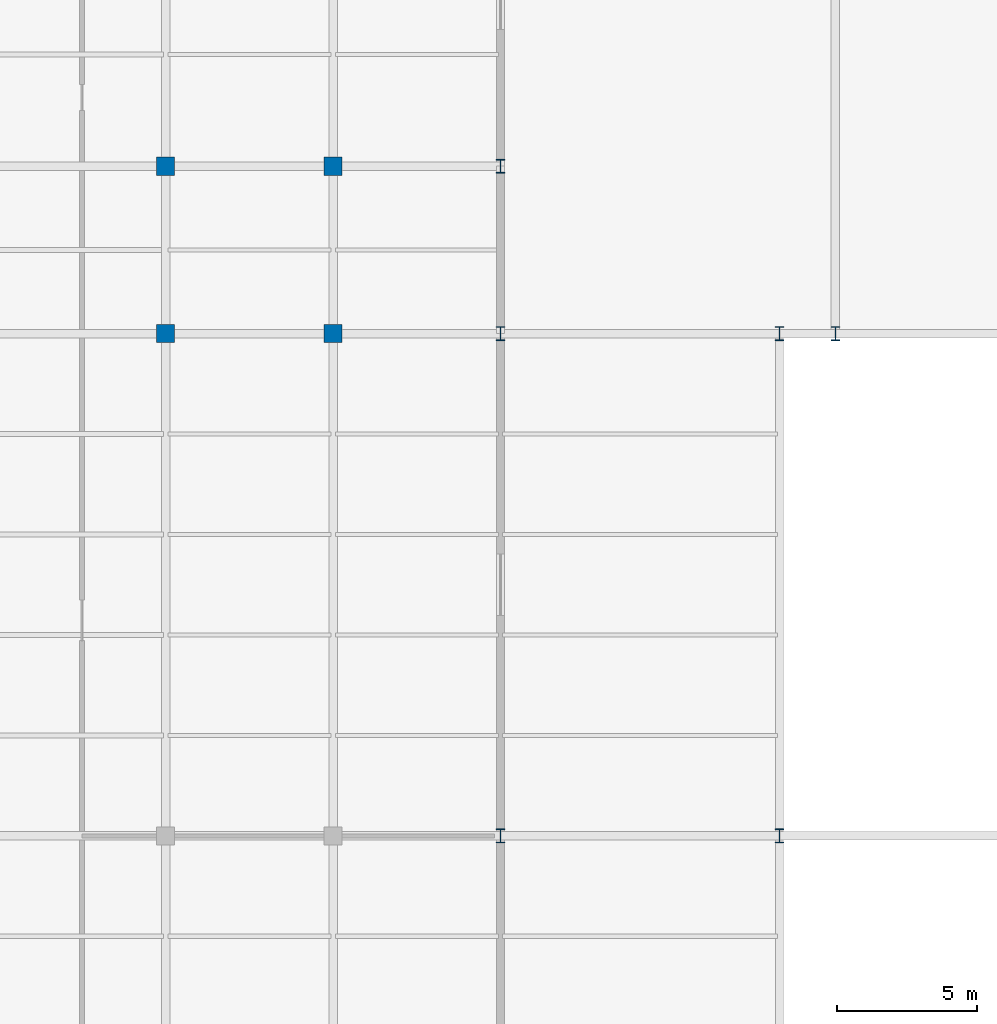
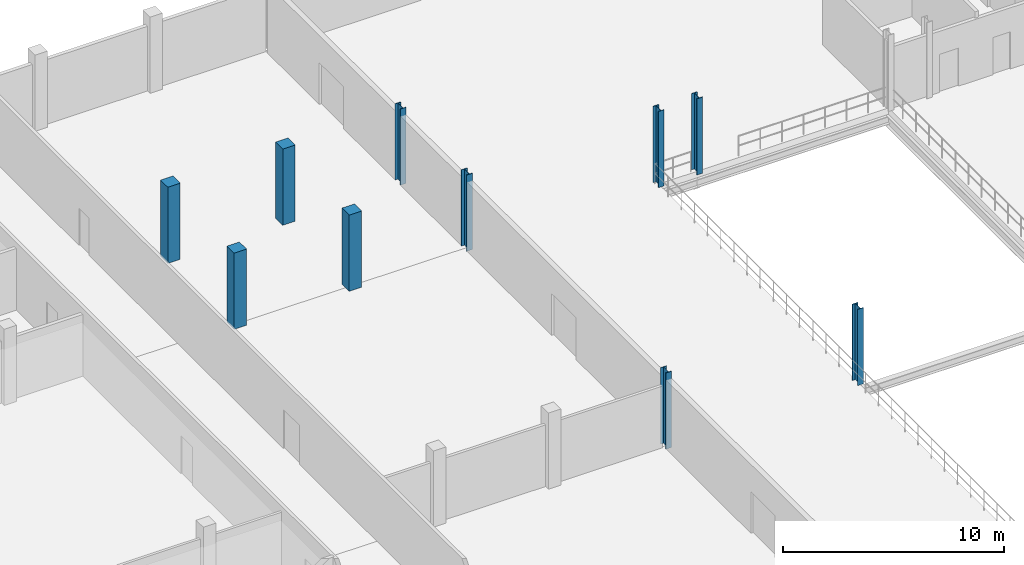
# One storey, part 11 of 158: 10 columns.
"""IFC4 building model written with IfcOpenShell, lengths in metres."""

from ifc_helpers import new_model, si_unit, direction, frame, origin, origin_2d, place, context, subcontext, project, spatial, rectangle, i_section, extrude, material, material_profile, profile_set, type_object, element, save


model = new_model("IFC4")

# Units and contexts
model_context = context("Model", 3, precision=1e-05, world=origin(), true_north=direction((0.0, 1.0)))
body_context = subcontext(model_context, "Body", "Model", "MODEL_VIEW")
ifc_project = project(units=[si_unit("LENGTHUNIT", "METRE"), si_unit("AREAUNIT", "SQUARE_METRE"), si_unit("VOLUMEUNIT", "CUBIC_METRE"), si_unit("PLANEANGLEUNIT", "RADIAN"), si_unit("MASSUNIT", "GRAM", prefix="KILO")], contexts=[model_context])

# Site, building, storey
site_placement = place(None, origin())
site = spatial("IfcSite", under=ifc_project, at=site_placement, CompositionType="ELEMENT")
building_placement = place(site_placement, origin())
building = spatial("IfcBuilding", under=site, at=building_placement, Name="Zilviju Railside Exhibition Hall", CompositionType="ELEMENT")
storey_placement = place(building_placement, frame((0.0, 0.0, 4.199951171875)))
storey = spatial("IfcBuildingStorey", under=building, at=storey_placement, Name="L02", CompositionType="ELEMENT", Elevation=4.199951171875)

# Columns
ifc_material_1 = material(Name="Concrete C35/45", Category="concrete")
ifc_material_profile_1 = material_profile(ifc_material_1, rectangle(XDim=0.64990234375, YDim=0.64990234375, at=origin_2d()), Name="RC COL 650x650")
ifc_profile_set_1 = profile_set([ifc_material_profile_1], Name="Concrete C35/45")
column_type_1 = type_object("IfcColumnType", Name="COL-RC-650", PredefinedType="COLUMN", material=ifc_profile_set_1)
for number, where, z_axis, x_axis, name in (
    (1, (36.0, 120.0, 0.0), (0.0, 0.0, 1.0), (1.0, 0.0, 0.0), "Structural Column L02 (36.0, 120.0)"),
    (2, (42.0, 120.0, 0.0), (0.0, 0.0, 1.0), (1.0, 0.0, 0.0), "Structural Column L02 (42.0, 120.0)"),
    (3, (36.0, 126.0, 0.0), (0.0, 0.0, 1.0), (1.0, 0.0, 0.0), "Structural Column L02 (36.0, 126.0)"),
    (4, (42.0, 126.0, 0.0), (0.0, 0.0, 1.0), (1.0, 0.0, 0.0), "Structural Column L02 (42.0, 126.0)"),
):
    element("IfcColumn", number, at=place(storey_placement, frame(where, z_axis=z_axis, x_axis=x_axis)), inside=storey, type_object=column_type_1, Name=name, PredefinedType="COLUMN", context=body_context, shape_type="SweptSolid", body=[
        extrude(rectangle(XDim=0.64990234375, YDim=0.64990234375, at=origin_2d()), origin(), (0.0, 0.0, 1.0), 4.199951171875),
    ])
ifc_material_2 = material(Name="Steel S355J2", Category="steel")
ifc_material_profile_2 = material_profile(ifc_material_2, i_section(OverallWidth=0.300048828125, OverallDepth=0.5, WebThickness=0.014404296875, FlangeThickness=0.028076171875, at=origin_2d()), Name="HEB 500")
ifc_profile_set_2 = profile_set([ifc_material_profile_2], Name="Steel S355J2")
column_type_2 = type_object("IfcColumnType", Name="COL-ST-HEB500", PredefinedType="COLUMN", material=ifc_profile_set_2)
for number, where, z_axis, x_axis, name in (
    (5, (48.0, 102.0, 0.0), (0.0, 0.0, 1.0), (1.0, 0.0, 0.0), "Structural Column L02 (48.0, 102.0)"),
    (6, (58.0, 102.0, 0.0), (0.0, 0.0, 1.0), (1.0, 0.0, 0.0), "Structural Column L02 (58.0, 102.0)"),
    (7, (48.0, 120.0, 0.0), (0.0, 0.0, 1.0), (1.0, 0.0, 0.0), "Structural Column L02 (48.0, 120.0)"),
    (8, (58.0, 120.0, 0.0), (0.0, 0.0, 1.0), (1.0, 0.0, 0.0), "Structural Column L02 (58.0, 120.0)"),
    (9, (60.0, 120.0, 0.0), (0.0, 0.0, 1.0), (1.0, 0.0, 0.0), "Structural Column L02 (60.0, 120.0)"),
    (10, (48.0, 126.0, 0.0), (0.0, 0.0, 1.0), (1.0, 0.0, 0.0), "Structural Column L02 (48.0, 126.0)"),
):
    element("IfcColumn", number, at=place(storey_placement, frame(where, z_axis=z_axis, x_axis=x_axis)), inside=storey, type_object=column_type_2, Name=name, PredefinedType="COLUMN", context=body_context, shape_type="SweptSolid", body=[
        extrude(i_section(OverallWidth=0.300048828125, OverallDepth=0.5, WebThickness=0.014404296875, FlangeThickness=0.028076171875, at=origin_2d()), origin(), (0.0, 0.0, 1.0), 4.199951171875),
    ])

save(model, "model.ifc")
